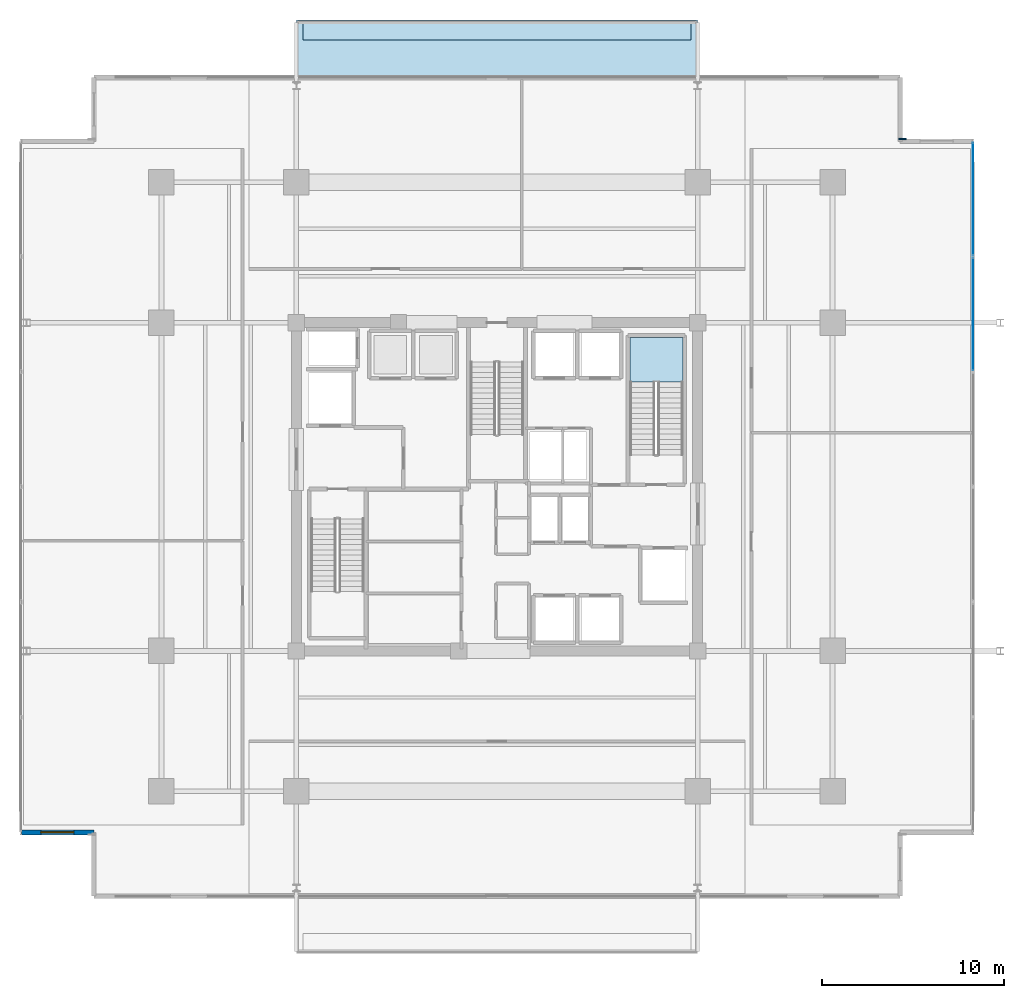
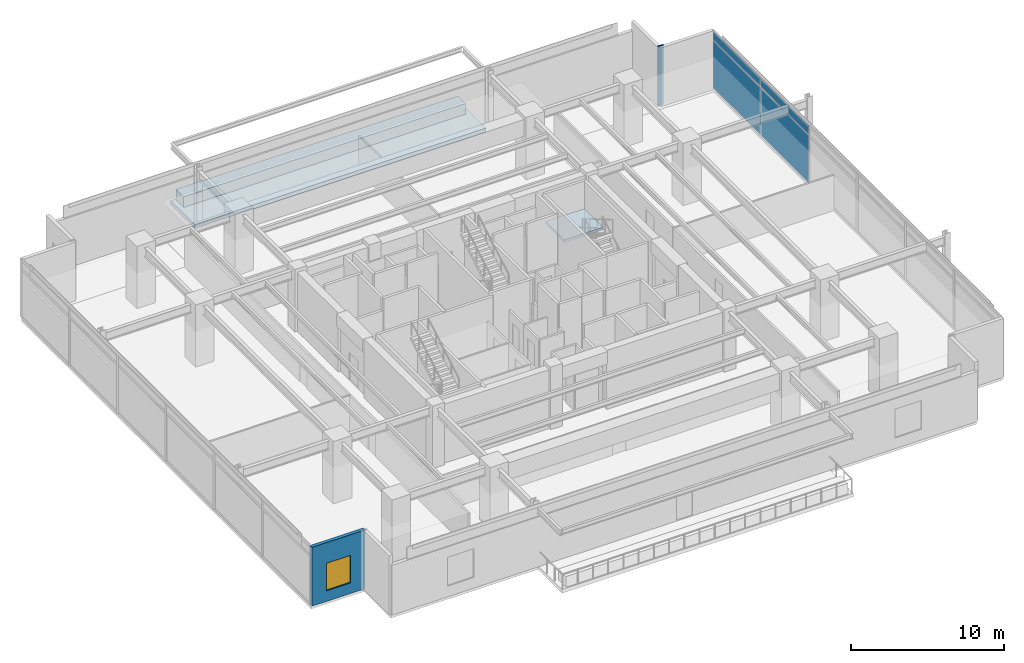
# One storey, part 15 of 25: 5 plates, 3 slabs, 1 wall, 1 window, 1 opening, 2 elements without a shape of their own.
"""IFC4 building model written with IfcOpenShell, lengths in metres."""

import ifcopenshell
import ifcopenshell.guid

model = None  # the IFC model being written
_history = None  # IfcOwnerHistory: only IFC2X3 demands one
_inside = {}  # id of a spatial element -> (the spatial element, [elements in it])
_under = {}  # id of a project, library or spatial element -> (it, [spatial elements below it])
_declared = {}  # id of a project -> (the project, [libraries it declares])
_typed = {}  # id of a type object -> (the type object, [elements of that type])
_made_of = {}  # id of a material, layer set ... -> (it, [elements and type objects made of it])


def new_model(schema):
    """Start an empty IFC model of exactly this schema.

    Asked for "IFC4X3", IfcOpenShell would pick the latest addendum, in which some entities
    have other attributes; the version numbers below select the first issue.
    IFC2X3 requires an IfcOwnerHistory on every rooted entity: one is made here for all.
    """
    global model, _history
    if schema == "IFC4X3":
        model = ifcopenshell.file(schema_version=(4, 3, 0, 0))
    else:
        model = ifcopenshell.file(schema=schema)
    _inside.clear()
    _under.clear()
    _declared.clear()
    _typed.clear()
    _made_of.clear()
    _history = None
    if model.schema == "IFC2X3":
        org = make("IfcOrganization", Name="unknown")
        user = make(
            "IfcPersonAndOrganization",
            ThePerson=make("IfcPerson", FamilyName="unknown"),
            TheOrganization=org,
        )
        app = make(
            "IfcApplication",
            ApplicationDeveloper=org,
            Version="unknown",
            ApplicationFullName="unknown",
            ApplicationIdentifier="unknown",
        )
        _history = make(
            "IfcOwnerHistory",
            OwningUser=user,
            OwningApplication=app,
            ChangeAction="ADDED",
            CreationDate=0,
        )
    return model


def make(cls, **values):
    """One entity of the class cls with the attributes given. An attribute that is None is left unset."""
    return model.create_entity(
        cls, **{name: value for name, value in values.items() if value is not None}
    )


def rooted(cls, **values):
    """An entity with a GlobalId (a new one), such as an element, a storey or a relation."""
    return make(cls, GlobalId=ifcopenshell.guid.new(), OwnerHistory=_history, **values)


def si_unit(unit_type, name, prefix=None):
    """IfcSIUnit, for example si_unit("LENGTHUNIT", "METRE", prefix="MILLI")."""
    return make("IfcSIUnit", UnitType=unit_type, Prefix=prefix, Name=name)


def assignment(units):
    """IfcUnitAssignment: the units of a project."""
    return None if units is None else make("IfcUnitAssignment", Units=units)


def point(xyz):
    """IfcCartesianPoint."""
    return None if xyz is None else make("IfcCartesianPoint", Coordinates=xyz)


def direction(xyz):
    """IfcDirection."""
    return None if xyz is None else make("IfcDirection", DirectionRatios=xyz)


def frame(location, z_axis=None, x_axis=None):
    """IfcAxis2Placement3D, a coordinate frame: its origin and axes. An axis left out is left unset."""
    return make(
        "IfcAxis2Placement3D",
        Location=point(location),
        Axis=direction(z_axis),
        RefDirection=direction(x_axis),
    )


def frame_2d(location, x_axis=None):
    """IfcAxis2Placement2D, a coordinate frame in the plane: its origin and x axis."""
    return make(
        "IfcAxis2Placement2D", Location=point(location), RefDirection=direction(x_axis)
    )


def origin():
    """The frame at (0, 0, 0) with its axes left unset."""
    return frame((0.0, 0.0, 0.0))


def origin_2d():
    """The frame at (0, 0) in the plane with its x axis left unset."""
    return frame_2d((0.0, 0.0))


def place(relative_to, where):
    """IfcLocalPlacement: puts the frame where relative to a parent placement (None: the world)."""
    return make(
        "IfcLocalPlacement", PlacementRelTo=relative_to, RelativePlacement=where
    )


def context(
    kind, dimensions, precision=None, world=None, true_north=None, identifier=None
):
    """IfcGeometricRepresentationContext, for example the 3D "Model" context."""
    return make(
        "IfcGeometricRepresentationContext",
        ContextIdentifier=identifier,
        ContextType=kind,
        CoordinateSpaceDimension=dimensions,
        Precision=precision,
        WorldCoordinateSystem=world,
        TrueNorth=true_north,
    )


def subcontext(parent, identifier, kind, view, scale=None):
    """IfcGeometricRepresentationSubContext, for example "Body" below "Model"."""
    return make(
        "IfcGeometricRepresentationSubContext",
        ContextIdentifier=identifier,
        ContextType=kind,
        ParentContext=parent,
        TargetScale=scale,
        TargetView=view,
    )


def project(units=None, contexts=None):
    """IfcProject with its units and contexts."""
    return rooted(
        "IfcProject",
        Name="project",
        RepresentationContexts=contexts,
        UnitsInContext=assignment(units),
    )


def spatial(cls, under=None, at=None, **own):
    """A site, building, storey or space (cls), placed at a placement, below another one or the project."""
    s = rooted(cls, ObjectPlacement=at, **own)
    if under is not None:
        _under.setdefault(under.id(), (under, []))[1].append(s)
    return s


def polyline(points):
    """IfcPolyline through the points."""
    return make("IfcPolyline", Points=[point(p) for p in points])


def profile(cls, at=None, kind="AREA", **sizes):
    """A parametric profile (cls). Its sizes go by their IFC names, for example OverallWidth=200.0."""
    return make(cls, ProfileType=kind, Position=at, **sizes)


def rectangle(**sizes):
    """IfcRectangleProfileDef."""
    return profile("IfcRectangleProfileDef", **sizes)


def outline(outer, holes=None, kind="AREA"):
    """IfcArbitraryClosedProfileDef: a profile drawn as a closed curve; with holes, ...WithVoids."""
    if holes is None:
        return make("IfcArbitraryClosedProfileDef", ProfileType=kind, OuterCurve=outer)
    return make(
        "IfcArbitraryProfileDefWithVoids",
        ProfileType=kind,
        OuterCurve=outer,
        InnerCurves=holes,
    )


def extrude(swept, where, along, depth):
    """IfcExtrudedAreaSolid: the profile swept, set in the frame where, extruded along a direction by depth."""
    return make(
        "IfcExtrudedAreaSolid",
        SweptArea=swept,
        Position=where,
        ExtrudedDirection=direction(along),
        Depth=depth,
    )


def shape(context_of_items, identifier, shape_type, items):
    """IfcShapeRepresentation: the items that make up one representation, for example the "Body"."""
    return make(
        "IfcShapeRepresentation",
        ContextOfItems=context_of_items,
        RepresentationIdentifier=identifier,
        RepresentationType=shape_type,
        Items=items,
    )


def material(Name=None, Category=None):
    """IfcMaterial."""
    return make("IfcMaterial", Name=Name, Category=Category)


def layer(
    of_material, thickness, ventilated=None, Name=None, Category=None, Priority=None
):
    """IfcMaterialLayer: one layer of a wall or slab, of a material (None: an air gap)."""
    return make(
        "IfcMaterialLayer",
        Material=of_material,
        LayerThickness=thickness,
        IsVentilated=ventilated,
        Name=Name,
        Category=Category,
        Priority=Priority,
    )


def layer_set(layers, Name=None):
    """IfcMaterialLayerSet."""
    return make("IfcMaterialLayerSet", MaterialLayers=layers, LayerSetName=Name)


def made_of(thing, what):
    """Note that an element or type object is made of a material, layer set ...; save() writes the relation."""
    if what is not None:
        _made_of.setdefault(what.id(), (what, []))[1].append(thing)
    return thing


def type_object(cls, material=None, **own):
    """A type object (cls), such as IfcWallType, which elements share."""
    return made_of(rooted(cls, **own), material)


def element(
    cls,
    number,
    at=None,
    inside=None,
    cuts=None,
    type_object=None,
    material=None,
    context=None,
    identifier="Body",
    shape_type=None,
    held_by="IfcProductDefinitionShape",
    body=None,
    shapes=None,
    **own,
):
    """One element of the class cls, such as IfcWall. Its Tag is "e" and its number.

    at: its placement. inside: the storey or other place that contains it. cuts: it is an
    opening in that element (IfcRelVoidsElement). A single representation is given by context,
    identifier, shape_type and body (its items); several are given by shapes. held_by: the class
    of the entity that holds the representations. save() writes the other relations.
    """
    e = rooted(cls, Tag="e%d" % number, ObjectPlacement=at, **own)
    if body is not None:
        shapes = [shape(context, identifier, shape_type, body)]
    if shapes is not None:
        e.Representation = make(held_by, Representations=shapes)
    if inside is not None:
        _inside.setdefault(inside.id(), (inside, []))[1].append(e)
    if cuts is not None:
        rooted(
            "IfcRelVoidsElement", RelatingBuildingElement=cuts, RelatedOpeningElement=e
        )
    if type_object is not None:
        _typed.setdefault(type_object.id(), (type_object, []))[1].append(e)
    return made_of(e, material)


def fill(opening, filler):
    """IfcRelFillsElement: the door or window that sits in an opening."""
    return rooted(
        "IfcRelFillsElement",
        RelatingOpeningElement=opening,
        RelatedBuildingElement=filler,
    )


def aggregate(whole, parts):
    """IfcRelAggregates: a whole, such as a stair, and the parts it consists of."""
    return rooted("IfcRelAggregates", RelatingObject=whole, RelatedObjects=parts)


def save(model, path):
    """Write the relations noted so far, then the file.

    IfcRelAggregates (storeys below a building ...), IfcRelContainedInSpatialStructure (elements
    in a storey), IfcRelDefinesByType, IfcRelAssociatesMaterial and IfcRelDeclares: one each for
    every whole, place, type object, material and project.
    """
    for whole, parts in _under.values():
        aggregate(whole, parts)
    for where, things in _inside.values():
        rooted(
            "IfcRelContainedInSpatialStructure",
            RelatedElements=things,
            RelatingStructure=where,
        )
    for kind, things in _typed.values():
        rooted("IfcRelDefinesByType", RelatedObjects=things, RelatingType=kind)
    for what, things in _made_of.values():
        rooted("IfcRelAssociatesMaterial", RelatedObjects=things, RelatingMaterial=what)
    for by, libraries in _declared.values():
        rooted("IfcRelDeclares", RelatingContext=by, RelatedDefinitions=libraries)
    model.write(path)


model = new_model("IFC4")

# Units and contexts
model_context = context("Model", 3, precision=1e-05, world=origin(), true_north=direction((0.0, 1.0)))
body_context = subcontext(model_context, "Body", "Model", "MODEL_VIEW")
ifc_project = project(units=[si_unit("LENGTHUNIT", "METRE"), si_unit("AREAUNIT", "SQUARE_METRE"), si_unit("VOLUMEUNIT", "CUBIC_METRE"), si_unit("PLANEANGLEUNIT", "RADIAN"), si_unit("MASSUNIT", "GRAM", prefix="KILO")], contexts=[model_context])

# Site, building, storey
site_placement = place(None, origin())
site = spatial("IfcSite", under=ifc_project, at=site_placement, CompositionType="ELEMENT")
building_placement = place(site_placement, origin())
building = spatial("IfcBuilding", under=site, at=building_placement, Name="Kovane Verandah Tower", CompositionType="ELEMENT")
storey_placement = place(building_placement, frame((0.0, 0.0, 233.199951171875)))
storey = spatial("IfcBuildingStorey", under=building, at=storey_placement, Name="L54", CompositionType="ELEMENT", Elevation=233.199951171875)

# Curtain wall, plates
ifc_material_1 = material(Name="Champagne Anodised Aluminium Frame with Low-E Clear Laminated Glass", Category="aluminium")
curtain_wall_type = type_object("IfcCurtainWallType", Name="CW-SYS-03-MID", PredefinedType="NOTDEFINED", material=ifc_material_1)
curtain_wall_placement = place(storey_placement, origin())
curtain_wall = element("IfcCurtainWall", 1, at=curtain_wall_placement, inside=storey, type_object=curtain_wall_type, Name="L54 E Unitised Curtain Wall", PredefinedType="NOTDEFINED")
ifc_material_2 = material(Name="Pale Champagne Anodised Aluminium Insulated Spandrel", Category="aluminium")
ifc_layer_1 = layer(ifc_material_2, 0.0400390625)
ifc_layer_set_1 = layer_set([ifc_layer_1], Name="Pale Champagne Anodised Aluminium Insulated Spandrel")
plate_type_1 = type_object("IfcPlateType", Name="PL-CW-SPD-40", PredefinedType="SHEET", material=ifc_layer_set_1)
plate_1_placement = place(storey_placement, frame((66.107177734375, 36.974853515625, 3.97021484375), z_axis=(0.0, 0.0, 1.0), x_axis=(0.0, 1.0, 0.0)))
plate_1 = element("IfcPlate", 2, at=plate_1_placement, type_object=plate_type_1, Name="L54 E Unitised Curtain Wall Spandrel Panel 5", PredefinedType="SHEET", context=body_context, shape_type="SweptSolid", body=[
    extrude(rectangle(XDim=6.176513671875, YDim=0.0400390625, at=origin_2d()), origin(), (0.0, 0.0, 1.0), 0.639892578125),
])
plate_2_placement = place(storey_placement, frame((66.107177734375, 43.291259765625, 3.97021484375), z_axis=(0.0, 0.0, 1.0), x_axis=(0.0, 1.0, 0.0)))
plate_2 = element("IfcPlate", 3, at=plate_2_placement, type_object=plate_type_1, Name="L54 E Unitised Curtain Wall Spandrel Panel 6", PredefinedType="SHEET", context=body_context, shape_type="SweptSolid", body=[
    extrude(rectangle(XDim=6.176513671875, YDim=0.0400390625, at=origin_2d()), origin(), (0.0, 0.0, 1.0), 0.639892578125),
])
ifc_material_3 = material(Name="Clear Low-E Laminated Double Glazing", Category="glass")
ifc_layer_2 = layer(ifc_material_3, 0.031982421875)
ifc_layer_set_2 = layer_set([ifc_layer_2], Name="Clear Low-E Laminated Double Glazing")
plate_type_2 = type_object("IfcPlateType", Name="PL-CW-VIS-32", PredefinedType="CURTAIN_PANEL", material=ifc_layer_set_2)
plate_3_placement = place(storey_placement, frame((66.107177734375, 36.974853515625, 0.10009765625), z_axis=(0.0, 0.0, 1.0), x_axis=(0.0, 1.0, 0.0)))
plate_3 = element("IfcPlate", 4, at=plate_3_placement, type_object=plate_type_2, Name="L54 E Unitised Curtain Wall Vision Panel 5", PredefinedType="CURTAIN_PANEL", context=body_context, shape_type="SweptSolid", body=[
    extrude(rectangle(XDim=6.176513671875, YDim=0.031982421875, at=origin_2d()), origin(), (0.0, 0.0, 1.0), 3.77001953125),
])
plate_4_placement = place(storey_placement, frame((66.107177734375, 43.291259765625, 0.10009765625), z_axis=(0.0, 0.0, 1.0), x_axis=(0.0, 1.0, 0.0)))
plate_4 = element("IfcPlate", 5, at=plate_4_placement, type_object=plate_type_2, Name="L54 E Unitised Curtain Wall Vision Panel 6", PredefinedType="CURTAIN_PANEL", context=body_context, shape_type="SweptSolid", body=[
    extrude(rectangle(XDim=6.176513671875, YDim=0.031982421875, at=origin_2d()), origin(), (0.0, 0.0, 1.0), 3.77001953125),
])
aggregate(curtain_wall, [plate_3, plate_1, plate_4, plate_2])

# Plate
ifc_material_4 = material(Name="Timber-Toned Subtropical Aluminium Vertical Blade", Category="wood")
ifc_layer_3 = layer(ifc_material_4, 0.090087890625)
ifc_layer_set_3 = layer_set([ifc_layer_3], Name="Timber-Toned Subtropical Aluminium Vertical Blade")
plate_type_3 = type_object("IfcPlateType", Name="PL-FIN-90", PredefinedType="USERDEFINED", material=ifc_layer_set_3)
plate_5_placement = place(storey_placement, frame((62.227294921875, 46.569580078125, -0.02001953125), z_axis=(0.0, 0.0, 1.0), x_axis=(1.0, 0.0, 0.0)))
element("IfcPlate", 6, at=plate_5_placement, inside=storey, type_object=plate_type_3, Name="L54 NE Timber-Toned Vertical Corner Fin", ObjectType="FIN", PredefinedType="USERDEFINED", context=body_context, shape_type="SweptSolid", body=[
    extrude(rectangle(XDim=0.419921875, YDim=0.090087890625, at=origin_2d()), origin(), (0.0, 0.0, 1.0), 4.760009765625),
])

# Slab
ifc_material_5 = material(Name="Concrete C45/55", Category="concrete")
ifc_layer_4 = layer(ifc_material_5, 0.300048828125)
ifc_layer_set_4 = layer_set([ifc_layer_4], Name="Concrete C45/55")
slab_type_1 = type_object("IfcSlabType", Name="SL-BALC-300", PredefinedType="FLOOR", material=ifc_layer_set_4)
slab_1_placement = place(storey_placement, frame((0.0, 0.0, -0.300048828125)))
element("IfcSlab", 7, at=slab_1_placement, inside=storey, type_object=slab_type_1, Name="L54 N Planted Verandah Balcony Slab", PredefinedType="FLOOR", context=body_context, shape_type="SweptSolid", body=[
    extrude(outline(polyline([(29.0, 49.94970703125), (51.0, 49.94970703125), (51.0, 53.099609375), (29.0, 53.099609375), (29.0, 49.94970703125)])), origin(), (0.0, 0.0, 1.0), 0.300048828125),
])

# Stair, slab
stair_type = type_object("IfcStairType", Name="ST-CORE-1380", PredefinedType="HALF_TURN_STAIR", material=ifc_material_5)
stair_placement = place(storey_placement, origin())
stair = element("IfcStair", 8, at=stair_placement, inside=storey, type_object=stair_type, Name="L54 Exit Stair ST-02", PredefinedType="HALF_TURN_STAIR")
ifc_layer_5 = layer(ifc_material_5, 0.199951171875)
ifc_layer_set_5 = layer_set([ifc_layer_5], Name="Concrete C45/55")
slab_type_2 = type_object("IfcSlabType", Name="SL-LAND-200", PredefinedType="LANDING", material=ifc_layer_set_5)
slab_2_placement = place(storey_placement, frame((0.0, 0.0, 2.300048828125)))
slab_2 = element("IfcSlab", 9, at=slab_2_placement, type_object=slab_type_2, Name="ST-02 landing 1", PredefinedType="LANDING", context=body_context, shape_type="SweptSolid", body=[
    extrude(outline(polyline([(50.199951171875, 33.239990234375), (50.199951171875, 35.699951171875), (47.280029296875, 35.699951171875), (47.280029296875, 33.239990234375), (50.199951171875, 33.239990234375)])), origin(), (0.0, 0.0, 1.0), 0.199951171875),
])
aggregate(stair, [slab_2])

# Slab
ifc_material_6 = material(Name="Architectural Precast Concrete C45/55 Planter Trough", Category="concrete")
ifc_layer_6 = layer(ifc_material_6, 0.219970703125)
ifc_layer_set_6 = layer_set([ifc_layer_6], Name="Architectural Precast Concrete C45/55 Planter Trough")
slab_type_3 = type_object("IfcSlabType", Name="SL-PLANTER-220", PredefinedType="USERDEFINED", material=ifc_layer_set_6)
slab_3_placement = place(storey_placement, origin())
element("IfcSlab", 10, at=slab_3_placement, inside=storey, type_object=slab_type_3, Name="L54 N Structural Tree Planter", ObjectType="PLANTER", PredefinedType="USERDEFINED", context=body_context, shape_type="SweptSolid", body=[
    extrude(outline(polyline([(29.35009765625, 51.99951171875), (50.64990234375, 51.99951171875), (50.64990234375, 52.99951171875), (29.35009765625, 52.99951171875), (29.35009765625, 51.99951171875)])), origin(), (0.0, 0.0, 1.0), 0.85009765625),
])

# Wall, opening, window
ifc_material_7 = material(Name="Concrete C45/55 Insulated Spandrel Wall", Category="concrete")
ifc_layer_7 = layer(ifc_material_7, 0.260009765625)
ifc_layer_set_7 = layer_set([ifc_layer_7], Name="Concrete C45/55 Insulated Spandrel Wall")
wall_type = type_object("IfcWallType", Name="WL-SPANDREL-260", PredefinedType="PARAPET", material=ifc_layer_set_7)
wall_placement = place(storey_placement, frame((13.892822265625, 8.55029296875, 0.0), z_axis=(0.0, 0.0, 1.0), x_axis=(1.0, 0.0, 0.0)))
wall = element("IfcWall", 11, at=wall_placement, inside=storey, type_object=wall_type, Name="L54 SW Notch Cheek Wall 1", PredefinedType="PARAPET", context=body_context, shape_type="SweptSolid", body=[
    extrude(rectangle(XDim=4.0, YDim=0.260009765625, at=frame_2d((2.0, 0.0))), origin(), (0.0, 0.0, 1.0), 4.699951171875),
])
opening_placement = place(wall_placement, frame((1.10009765625, 0.0, 0.85009765625)))
opening = element("IfcOpeningElement", 12, at=opening_placement, cuts=wall, Name="Opening W-03", PredefinedType="OPENING", context=body_context, shape_type="SweptSolid", body=[
    extrude(rectangle(XDim=1.800048828125, YDim=2.199951171875, at=frame_2d((0.89990234375, 1.10009765625))), frame((0.0, 0.1298828125, 0.0), z_axis=(0.0, -1.0, 0.0), x_axis=(1.0, 0.0, 0.0)), (0.0, 0.0, 1.0), 0.260009765625),
])
ifc_material_8 = material(Name="Clear Low-E Laminated Double Glazing in Anodised Frame", Category="glass")
window_type = type_object("IfcWindowType", Name="WN-NOTCH-1800x2200", PartitioningType="SINGLE_PANEL", PredefinedType="WINDOW", material=ifc_material_8)
window_placement = place(opening_placement, origin())
window = element("IfcWindow", 13, at=window_placement, inside=storey, type_object=window_type, Name="L54 SW Re-Entrant Corner Operable Window", OverallHeight=2.199951171875, OverallWidth=1.800048828125, PartitioningType="SINGLE_PANEL", PredefinedType="WINDOW", context=body_context, shape_type="SweptSolid", body=[
    extrude(rectangle(XDim=1.800048828125, YDim=2.199951171875, at=frame_2d((0.89990234375, 1.10009765625))), frame((0.0, 0.030029296875, 0.0), z_axis=(0.0, -1.0, 0.0), x_axis=(1.0, 0.0, 0.0)), (0.0, 0.0, 1.0), 0.06005859375),
])
fill(opening, window)

save(model, "model.ifc")
